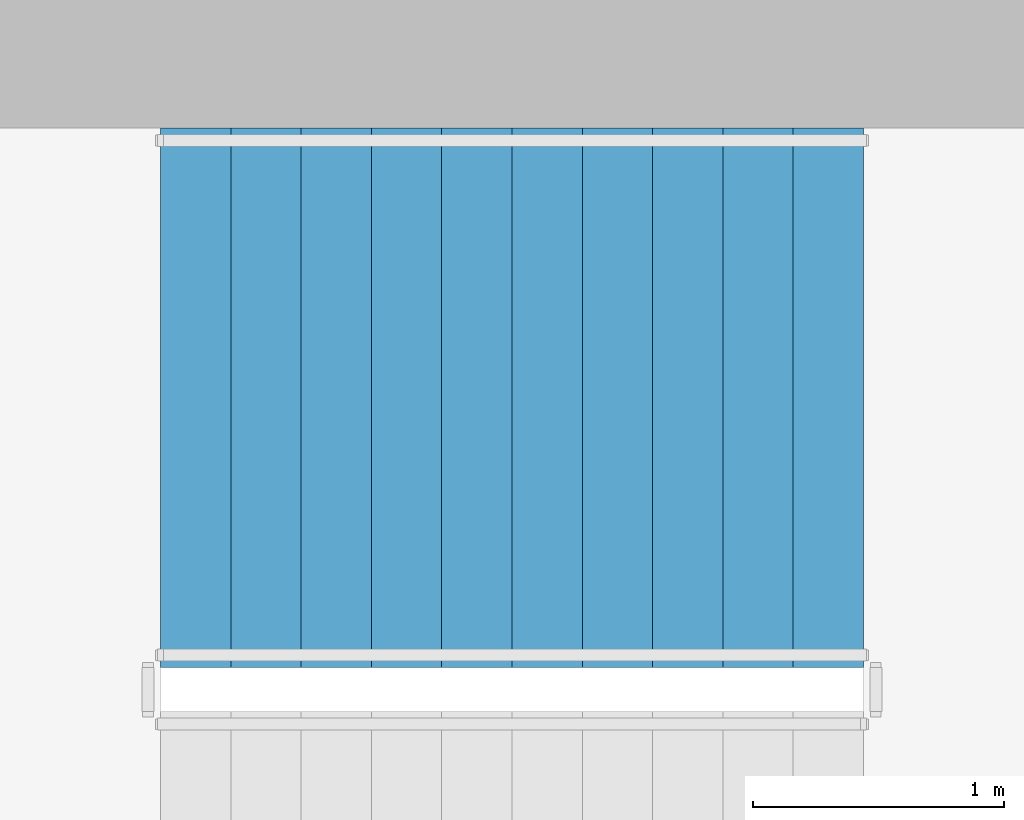
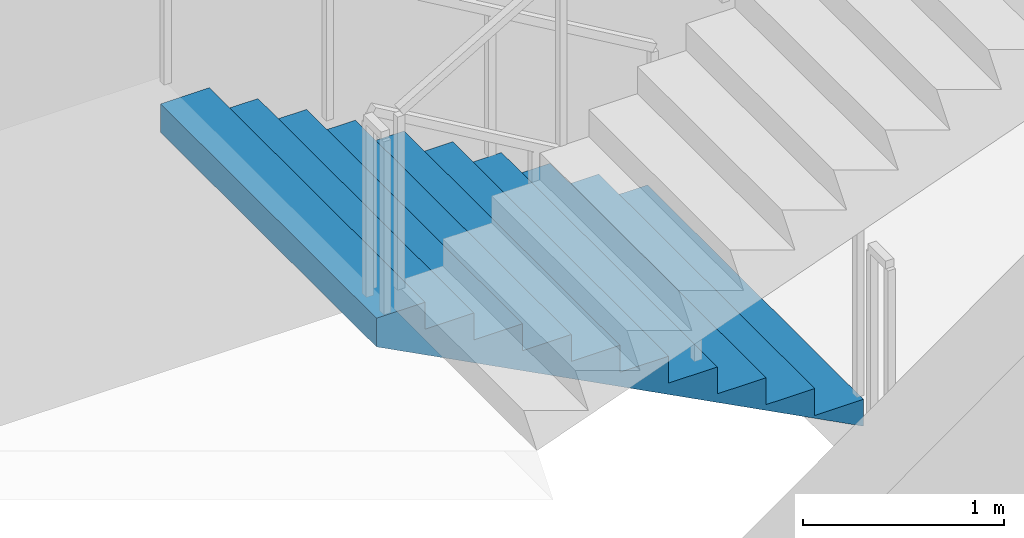
# One storey, part 13 of 21: 1 stair flight, 1 element without a shape of its own.
"""IFC4 building model written with IfcOpenShell, lengths in metres."""

from ifc_helpers import new_model, si_unit, direction, frame, origin, place, context, subcontext, project, spatial, triangles, material, type_object, element, aggregate, save


model = new_model("IFC4")

# Units and contexts
model_context = context("Model", 3, precision=1e-05, world=origin(), true_north=direction((0.0, 1.0)))
body_context = subcontext(model_context, "Body", "Model", "MODEL_VIEW")
ifc_project = project(units=[si_unit("LENGTHUNIT", "METRE"), si_unit("AREAUNIT", "SQUARE_METRE"), si_unit("VOLUMEUNIT", "CUBIC_METRE"), si_unit("PLANEANGLEUNIT", "RADIAN"), si_unit("MASSUNIT", "GRAM", prefix="KILO")], contexts=[model_context])

# Site, building, storey
site_placement = place(None, origin())
site = spatial("IfcSite", under=ifc_project, at=site_placement, CompositionType="ELEMENT")
building_placement = place(site_placement, origin())
building = spatial("IfcBuilding", under=site, at=building_placement, Name="Cypress Arch Tower", CompositionType="ELEMENT")
storey_placement = place(building_placement, frame((0.0, 0.0, 127.5)))
storey = spatial("IfcBuildingStorey", under=building, at=storey_placement, Name="L27", CompositionType="ELEMENT", Elevation=127.5)

# Stair, stair flight
ifc_material_1 = material(Name="Concrete C40/50", Category="concrete")
stair_type = type_object("IfcStairType", Name="Exit stair ES1636-215", PredefinedType="HALF_TURN_STAIR", material=ifc_material_1)
stair_placement = place(storey_placement, origin())
stair = element("IfcStair", 1, at=stair_placement, inside=storey, type_object=stair_type, Name="L27 Exit stair B", PredefinedType="HALF_TURN_STAIR")
ifc_material_2 = material(Name="Concrete C40/50", Category="concrete")
stair_flight_type = type_object("IfcStairFlightType", Name="Exit stair flight ES1636-215", PredefinedType="STRAIGHT", material=ifc_material_2)
stair_flight_placement = place(storey_placement, frame((-22.27490234375, 13.72509765625, 0.0), z_axis=(0.0, 0.0, 1.0), x_axis=(-1.0, 0.0, 0.0)))
stair_flight = element("IfcStairFlight", 2, at=stair_flight_placement, type_object=stair_flight_type, Name="B flight 1", NumberOfRisers=11, NumberOfTreads=10, PredefinedType="STRAIGHT", RiserHeight=0.163636364, TreadLength=0.28, context=body_context, shape_type="Tessellation", body=[
    triangles([(0.0, -1.074951171875, 0.0), (0.000244140625, -1.074951171875, 0.03271484375), (0.00048828125, -1.074951171875, 0.0654296875), (0.00048828125, -1.074951171875, 0.09814453125), (0.000244140625, -1.074951171875, 0.130859375), (0.0, -1.074951171875, 0.16357421875), (0.280029296875, -1.074951171875, 0.16357421875), (0.280029296875, -1.074951171875, 0.327392578125), (0.56005859375, -1.074951171875, 0.327392578125), (0.56005859375, -1.074951171875, 0.490966796875), (0.840087890625, -1.074951171875, 0.490966796875), (0.840087890625, -1.074951171875, 0.654541015625), (1.1201171875, -1.074951171875, 0.654541015625), (1.1201171875, -1.074951171875, 0.818115234375), (1.39990234375, -1.074951171875, 0.818115234375), (1.39990234375, -1.074951171875, 0.98193359375), (1.679931640625, -1.074951171875, 0.98193359375), (1.679931640625, -1.074951171875, 1.1455078125), (1.9599609375, -1.074951171875, 1.1455078125), (1.9599609375, -1.074951171875, 1.30908203125), (2.239990234375, -1.074951171875, 1.30908203125), (2.239990234375, -1.074951171875, 1.47265625), (2.52001953125, -1.074951171875, 1.47265625), (2.52001953125, -1.074951171875, 1.636474609375), (2.800048828125, -1.074951171875, 1.636474609375), (2.7998046875, -1.074951171875, 1.601806640625), (2.799560546875, -1.074951171875, 1.56689453125), (2.799560546875, -1.074951171875, 1.5322265625), (2.7998046875, -1.074951171875, 1.497314453125), (2.800048828125, -1.074951171875, 1.462646484375), (2.800048828125, 1.074951171875, 1.462646484375), (2.7998046875, 1.074951171875, 1.497314453125), (2.799560546875, 1.074951171875, 1.5322265625), (2.799560546875, 1.074951171875, 1.56689453125), (2.7998046875, 1.074951171875, 1.601806640625), (2.800048828125, 1.074951171875, 1.636474609375), (2.52001953125, 1.074951171875, 1.636474609375), (2.52001953125, 1.074951171875, 1.47265625), (2.239990234375, 1.074951171875, 1.47265625), (2.239990234375, 1.074951171875, 1.30908203125), (1.9599609375, 1.074951171875, 1.30908203125), (1.9599609375, 1.074951171875, 1.1455078125), (1.679931640625, 1.074951171875, 1.1455078125), (1.679931640625, 1.074951171875, 0.98193359375), (1.39990234375, 1.074951171875, 0.98193359375), (1.39990234375, 1.074951171875, 0.818115234375), (1.1201171875, 1.074951171875, 0.818115234375), (1.1201171875, 1.074951171875, 0.654541015625), (0.840087890625, 1.074951171875, 0.654541015625), (0.840087890625, 1.074951171875, 0.490966796875), (0.56005859375, 1.074951171875, 0.490966796875), (0.56005859375, 1.074951171875, 0.327392578125), (0.280029296875, 1.074951171875, 0.327392578125), (0.280029296875, 1.074951171875, 0.16357421875), (0.0, 1.074951171875, 0.16357421875), (0.000244140625, 1.074951171875, 0.130859375), (0.00048828125, 1.074951171875, 0.09814453125), (0.00048828125, 1.074951171875, 0.0654296875), (0.000244140625, 1.074951171875, 0.03271484375), (0.0, 1.074951171875, 0.0), (2.7998046875, 0.0, 1.497314453125), (2.800048828125, 0.0, 1.462646484375), (2.799560546875, 0.0, 1.5322265625), (2.799560546875, 0.0, 1.56689453125), (2.7998046875, 0.0, 1.601806640625), (2.800048828125, 0.0, 1.636474609375), (2.52001953125, 0.0, 1.636474609375), (2.52001953125, 0.0, 1.47265625), (2.239990234375, 0.0, 1.47265625), (2.239990234375, 0.0, 1.30908203125), (1.9599609375, 0.0, 1.30908203125), (1.9599609375, 0.0, 1.1455078125), (1.679931640625, 0.0, 1.1455078125), (1.679931640625, 0.0, 0.98193359375), (1.39990234375, 0.0, 0.98193359375), (1.39990234375, 0.0, 0.818115234375), (1.1201171875, 0.0, 0.818115234375), (1.1201171875, 0.0, 0.654541015625), (0.840087890625, 0.0, 0.654541015625), (0.840087890625, 0.0, 0.490966796875), (0.56005859375, 0.0, 0.490966796875), (0.56005859375, 0.0, 0.327392578125), (0.280029296875, 0.0, 0.327392578125), (0.280029296875, 0.0, 0.16357421875), (0.0, 0.0, 0.16357421875), (0.000244140625, 0.0, 0.130859375), (0.00048828125, 0.0, 0.09814453125), (0.00048828125, 0.0, 0.0654296875), (0.000244140625, 0.0, 0.03271484375), (0.0, 0.0, 0.0)], [[30, 29, 24], [29, 28, 24], [28, 27, 24], [27, 26, 24], [26, 25, 24], [17, 16, 15], [9, 8, 7], [15, 14, 13], [23, 22, 21], [21, 20, 19], [19, 18, 17], [13, 12, 11], [11, 10, 9], [6, 5, 7], [5, 4, 7], [4, 3, 7], [3, 2, 7], [2, 1, 7], [30, 24, 23], [30, 23, 21], [30, 21, 19], [30, 19, 17], [30, 17, 15], [30, 15, 13], [30, 13, 11], [30, 11, 9], [30, 9, 7], [30, 7, 1], [31, 37, 32], [32, 37, 33], [33, 37, 34], [34, 37, 35], [35, 37, 36], [44, 46, 45], [52, 54, 53], [46, 48, 47], [38, 40, 39], [40, 42, 41], [42, 44, 43], [48, 50, 49], [50, 52, 51], [55, 54, 56], [56, 54, 57], [57, 54, 58], [58, 54, 59], [59, 54, 60], [31, 38, 37], [31, 40, 38], [31, 42, 40], [31, 44, 42], [31, 46, 44], [31, 48, 46], [31, 50, 48], [31, 52, 50], [31, 54, 52], [31, 60, 54], [62, 61, 29], [62, 29, 30], [31, 32, 61], [31, 61, 62], [61, 63, 28], [61, 28, 29], [32, 33, 63], [32, 63, 61], [63, 64, 27], [63, 27, 28], [33, 34, 64], [33, 64, 63], [64, 65, 26], [64, 26, 27], [34, 35, 65], [34, 65, 64], [65, 66, 25], [65, 25, 26], [35, 36, 66], [35, 66, 65], [66, 67, 24], [66, 24, 25], [36, 37, 67], [36, 67, 66], [67, 68, 23], [67, 23, 24], [37, 38, 68], [37, 68, 67], [68, 69, 22], [68, 22, 23], [38, 39, 69], [38, 69, 68], [69, 70, 21], [69, 21, 22], [39, 40, 70], [39, 70, 69], [70, 71, 20], [70, 20, 21], [40, 41, 71], [40, 71, 70], [71, 72, 19], [71, 19, 20], [41, 42, 72], [41, 72, 71], [72, 73, 18], [72, 18, 19], [42, 43, 73], [42, 73, 72], [73, 74, 17], [73, 17, 18], [43, 44, 74], [43, 74, 73], [74, 75, 16], [74, 16, 17], [44, 45, 75], [44, 75, 74], [75, 76, 15], [75, 15, 16], [45, 46, 76], [45, 76, 75], [76, 77, 14], [76, 14, 15], [46, 47, 77], [46, 77, 76], [77, 78, 13], [77, 13, 14], [47, 48, 78], [47, 78, 77], [78, 79, 12], [78, 12, 13], [48, 49, 79], [48, 79, 78], [79, 80, 11], [79, 11, 12], [49, 50, 80], [49, 80, 79], [80, 81, 10], [80, 10, 11], [50, 51, 81], [50, 81, 80], [81, 82, 9], [81, 9, 10], [51, 52, 82], [51, 82, 81], [82, 83, 8], [82, 8, 9], [52, 53, 83], [52, 83, 82], [83, 84, 7], [83, 7, 8], [53, 54, 84], [53, 84, 83], [84, 85, 6], [84, 6, 7], [54, 55, 85], [54, 85, 84], [85, 86, 5], [85, 5, 6], [55, 56, 86], [55, 86, 85], [86, 87, 4], [86, 4, 5], [56, 57, 87], [56, 87, 86], [87, 88, 3], [87, 3, 4], [57, 58, 88], [57, 88, 87], [88, 89, 2], [88, 2, 3], [58, 59, 89], [58, 89, 88], [89, 90, 1], [89, 1, 2], [59, 60, 90], [59, 90, 89], [90, 62, 30], [90, 30, 1], [60, 31, 62], [60, 62, 90]], closed=True),
])
aggregate(stair, [stair_flight])

save(model, "model.ifc")
